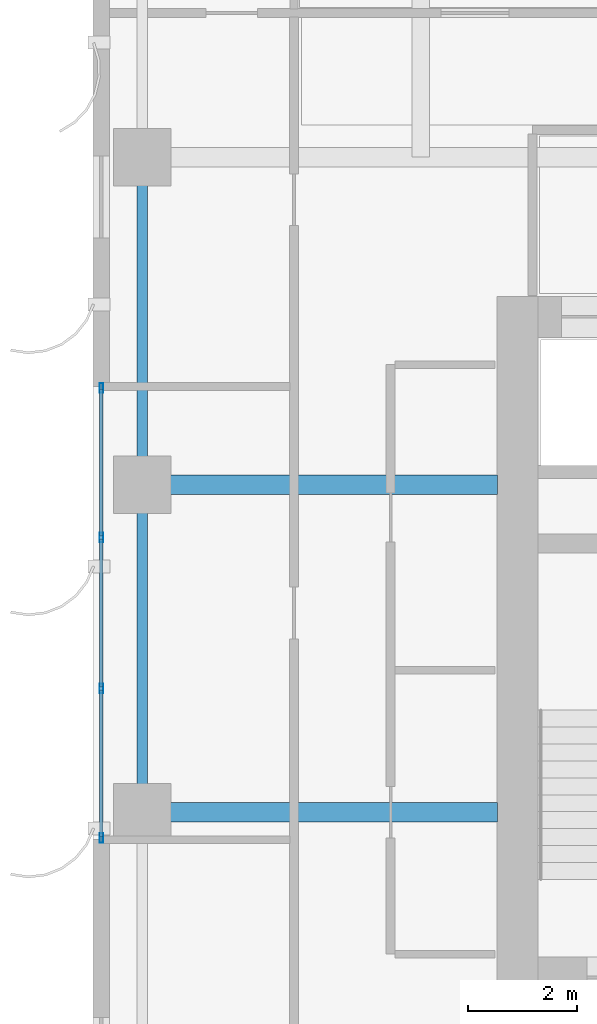
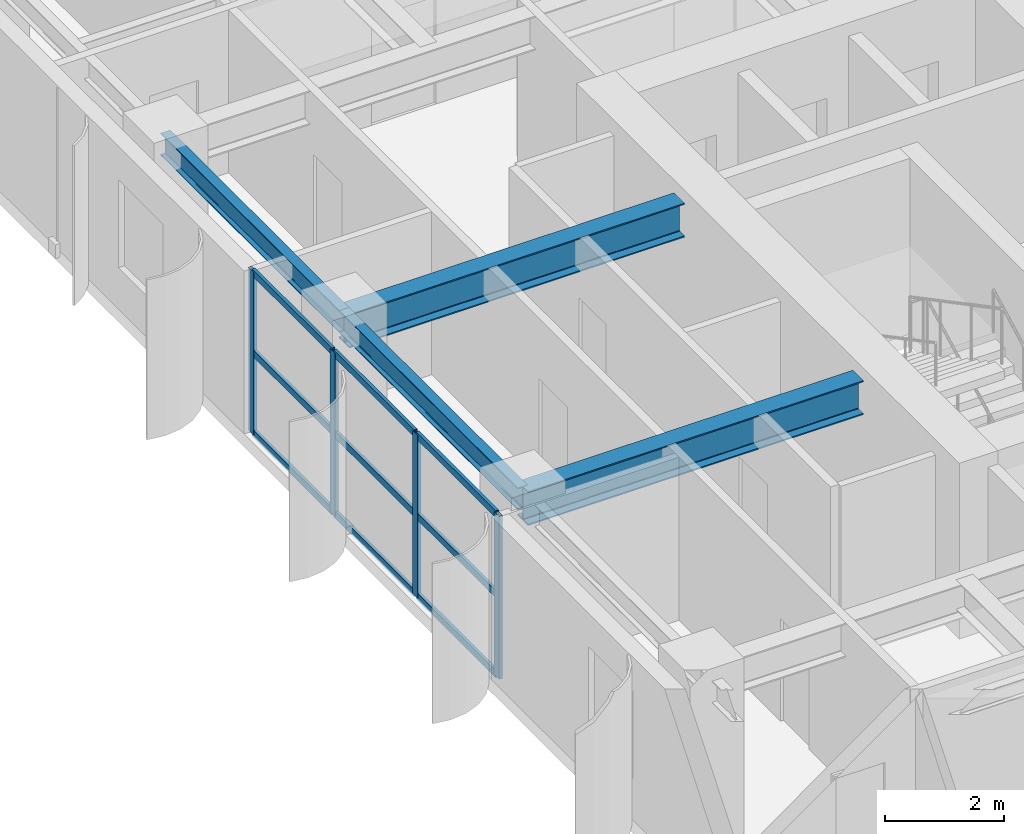
# One storey, part 4 of 22: 13 members, 4 beams, 1 element without a shape of its own.
"""IFC4 building model written with IfcOpenShell, lengths in metres."""

from ifc_helpers import new_model, si_unit, direction, frame, origin, origin_2d, place, context, subcontext, project, spatial, hollow_rectangle, i_section, extrude, source, transform, mapped, material, layer, layer_set, material_profile, profile_set, type_object, element, aggregate, save


model = new_model("IFC4")

# Units and contexts
model_context = context("Model", 3, precision=1e-05, world=origin(), true_north=direction((0.0, 1.0)))
body_context = subcontext(model_context, "Body", "Model", "MODEL_VIEW")
ifc_project = project(units=[si_unit("LENGTHUNIT", "METRE"), si_unit("AREAUNIT", "SQUARE_METRE"), si_unit("VOLUMEUNIT", "CUBIC_METRE"), si_unit("PLANEANGLEUNIT", "RADIAN"), si_unit("MASSUNIT", "GRAM", prefix="KILO")], contexts=[model_context])

# Site, building, storey
site_placement = place(None, origin())
site = spatial("IfcSite", under=ifc_project, at=site_placement, CompositionType="ELEMENT")
building_placement = place(site_placement, origin())
building = spatial("IfcBuilding", under=site, at=building_placement, Name="Khoralis Quay Care Tower", CompositionType="ELEMENT")
storey_placement = place(building_placement, frame((0.0, 0.0, 94.5)))
storey = spatial("IfcBuildingStorey", under=building, at=storey_placement, Name="L24", CompositionType="ELEMENT", Elevation=94.5)

# Beams
ifc_material_1 = material(Name="Steel S355", Category="steel")
ifc_material_profile_1 = material_profile(ifc_material_1, i_section(OverallWidth=0.18994140625, OverallDepth=0.449951171875, WebThickness=0.009521484375, FlangeThickness=0.0146484375, FilletRadius=0.02099609375, at=origin_2d()), Name="Steel S355")
ifc_profile_set_1 = profile_set([ifc_material_profile_1], Name="Steel S355")
beam_type_1 = type_object("IfcBeamType", Name="BM-IPE450", PredefinedType="SPANDREL", material=ifc_profile_set_1)
shared_shape_1 = source(origin(), body_context, "Body", "SweptSolid", [
    extrude(i_section(OverallWidth=0.18994140625, OverallDepth=0.449951171875, WebThickness=0.009521484375, FlangeThickness=0.0146484375, FilletRadius=0.02099609375, at=origin_2d()), origin(), (0.0, 0.0, 1.0), 6.0),
])
for number, where, z_axis, x_axis, name in (
    (1, (0.89990234375, 18.0, 3.114990234375), (0.0, 1.0, 0.0), (-1.0, 0.0, 0.0), "BM-TSP-L24-13"),
    (2, (0.89990234375, 24.0, 3.114990234375), (0.0, 1.0, 0.0), (-1.0, 0.0, 0.0), "BM-TSP-L24-14"),
):
    element("IfcBeam", number, at=place(storey_placement, frame(where, z_axis=z_axis, x_axis=x_axis)), inside=storey, type_object=beam_type_1, Name=name, PredefinedType="SPANDREL", context=body_context, shape_type="MappedRepresentation", body=[
        mapped(shared_shape_1, transform((0.0, 0.0, 0.0), scale=1.0)),
    ])
ifc_material_profile_2 = material_profile(ifc_material_1, i_section(OverallWidth=0.35498046875, OverallDepth=0.695068359375, WebThickness=0.015380859375, FlangeThickness=0.02490234375, FilletRadius=0.02001953125, at=origin_2d()), Name="Steel S355")
ifc_profile_set_2 = profile_set([ifc_material_profile_2], Name="Steel S355")
beam_type_2 = type_object("IfcBeamType", Name="BM-W690X217", PredefinedType="BEAM", material=ifc_profile_set_2)
shared_shape_2 = source(origin(), body_context, "Body", "SweptSolid", [
    extrude(i_section(OverallWidth=0.35498046875, OverallDepth=0.695068359375, WebThickness=0.015380859375, FlangeThickness=0.02490234375, FilletRadius=0.02001953125, at=origin_2d()), origin(), (0.0, 0.0, 1.0), 6.502197265625),
])
for number, where, z_axis, x_axis, name in (
    (3, (0.89990234375, 18.0, 2.992431640625), (1.0, 0.0, 0.0), (0.0, 1.0, 0.0), "BM-TGXW-L24-180"),
    (4, (0.89990234375, 24.0, 2.992431640625), (1.0, 0.0, 0.0), (0.0, 1.0, 0.0), "BM-TGXW-L24-240"),
):
    element("IfcBeam", number, at=place(storey_placement, frame(where, z_axis=z_axis, x_axis=x_axis)), inside=storey, type_object=beam_type_2, Name=name, PredefinedType="BEAM", context=body_context, shape_type="MappedRepresentation", body=[
        mapped(shared_shape_2, transform((0.0, 0.0, 0.0), scale=1.0)),
    ])

# Curtain wall, members
ifc_material_2 = material(Name="Pale anodised aluminium", Category="aluminium")
ifc_layer = layer(ifc_material_2, 0.169921875)
ifc_layer_set = layer_set([ifc_layer], Name="Pale anodised aluminium")
curtain_wall_type = type_object("IfcCurtainWallType", Name="CW-SYS-Z2", PredefinedType="NOTDEFINED", material=ifc_layer_set)
curtain_wall_placement = place(storey_placement, origin())
curtain_wall = element("IfcCurtainWall", 5, at=curtain_wall_placement, inside=storey, type_object=curtain_wall_type, Name="L24 Unitised Curtain Wall CW-L24-P1-E15", PredefinedType="NOTDEFINED")
ifc_material_profile_3 = material_profile(ifc_material_2, hollow_rectangle(XDim=0.06494140625, YDim=0.179931640625, WallThickness=0.00390625, at=origin_2d()), Name="Pale anodised aluminium")
ifc_profile_set_3 = profile_set([ifc_material_profile_3], Name="Pale anodised aluminium")
member_type_1 = type_object("IfcMemberType", Name="CW-MUL-180", PredefinedType="MULLION", material=ifc_profile_set_3)
shared_shape_3 = source(origin(), body_context, "Body", "SweptSolid", [
    extrude(hollow_rectangle(XDim=0.06494140625, YDim=0.179931640625, WallThickness=0.00390625, at=origin_2d()), origin(), (0.0, 0.0, 1.0), 3.340087890625),
])
member_1_placement = place(storey_placement, frame((0.14990234375, 25.77001953125, 0.0), z_axis=(0.0, 0.0, 1.0), x_axis=(1.0, 0.0, 0.0)))
member_1 = element("IfcMember", 6, at=member_1_placement, type_object=member_type_1, Name="CW2 mullion 1", PredefinedType="MULLION", context=body_context, shape_type="MappedRepresentation", body=[
    mapped(shared_shape_3, transform((0.0, 0.0, 0.0), scale=1.0)),
])
member_2_placement = place(storey_placement, frame((0.14990234375, 23.033447265625, 0.0), z_axis=(0.0, 0.0, 1.0), x_axis=(1.0, 0.0, 0.0)))
member_2 = element("IfcMember", 7, at=member_2_placement, type_object=member_type_1, Name="CW2 mullion 2", PredefinedType="MULLION", context=body_context, shape_type="MappedRepresentation", body=[
    mapped(shared_shape_3, transform((0.0, 0.0, 0.0), scale=1.0)),
])
member_3_placement = place(storey_placement, frame((0.14990234375, 20.2666015625, 0.0), z_axis=(0.0, 0.0, 1.0), x_axis=(1.0, 0.0, 0.0)))
member_3 = element("IfcMember", 8, at=member_3_placement, type_object=member_type_1, Name="CW2 mullion 3", PredefinedType="MULLION", context=body_context, shape_type="MappedRepresentation", body=[
    mapped(shared_shape_3, transform((0.0, 0.0, 0.0), scale=1.0)),
])
member_4_placement = place(storey_placement, frame((0.14990234375, 17.530029296875, 0.0), z_axis=(0.0, 0.0, 1.0), x_axis=(1.0, 0.0, 0.0)))
member_4 = element("IfcMember", 9, at=member_4_placement, type_object=member_type_1, Name="CW2 mullion 4", PredefinedType="MULLION", context=body_context, shape_type="MappedRepresentation", body=[
    mapped(shared_shape_3, transform((0.0, 0.0, 0.0), scale=1.0)),
])
ifc_material_profile_4 = material_profile(ifc_material_2, hollow_rectangle(XDim=0.06005859375, YDim=0.139892578125, WallThickness=0.00390625, at=origin_2d()), Name="Pale anodised aluminium")
ifc_profile_set_4 = profile_set([ifc_material_profile_4], Name="Pale anodised aluminium")
member_type_2 = type_object("IfcMemberType", Name="CW-TRN-140", PredefinedType="USERDEFINED", material=ifc_profile_set_4)
shared_shape_4 = source(origin(), body_context, "Body", "SweptSolid", [
    extrude(hollow_rectangle(XDim=0.06005859375, YDim=0.139892578125, WallThickness=0.00390625, at=origin_2d()), origin(), (0.0, 0.0, 1.0), 2.6767578125),
])
member_5_placement = place(storey_placement, frame((0.14990234375, 25.739990234375, 0.030029296875), z_axis=(0.0, -1.0, 0.0), x_axis=(1.0, 0.0, 0.0)))
member_5 = element("IfcMember", 10, at=member_5_placement, type_object=member_type_2, Name="CW2 transom 1.1", ObjectType="TRANSOM", PredefinedType="USERDEFINED", context=body_context, shape_type="MappedRepresentation", body=[
    mapped(shared_shape_4, transform((0.0, 0.0, 0.0), scale=1.0)),
])
member_6_placement = place(storey_placement, frame((0.14990234375, 25.739990234375, 1.669921875), z_axis=(0.0, -1.0, 0.0), x_axis=(1.0, 0.0, 0.0)))
member_6 = element("IfcMember", 11, at=member_6_placement, type_object=member_type_2, Name="CW2 transom 1.2", ObjectType="TRANSOM", PredefinedType="USERDEFINED", context=body_context, shape_type="MappedRepresentation", body=[
    mapped(shared_shape_4, transform((0.0, 0.0, 0.0), scale=1.0)),
])
member_7_placement = place(storey_placement, frame((0.14990234375, 25.739990234375, 3.31005859375), z_axis=(0.0, -1.0, 0.0), x_axis=(1.0, 0.0, 0.0)))
member_7 = element("IfcMember", 12, at=member_7_placement, type_object=member_type_2, Name="CW2 transom 1.3", ObjectType="TRANSOM", PredefinedType="USERDEFINED", context=body_context, shape_type="MappedRepresentation", body=[
    mapped(shared_shape_4, transform((0.0, 0.0, 0.0), scale=1.0)),
])
shared_shape_5 = source(origin(), body_context, "Body", "SweptSolid", [
    extrude(hollow_rectangle(XDim=0.06005859375, YDim=0.139892578125, WallThickness=0.00390625, at=origin_2d()), origin(), (0.0, 0.0, 1.0), 2.676513671875),
])
member_8_placement = place(storey_placement, frame((0.14990234375, 20.236572265625, 0.030029296875), z_axis=(0.0, -1.0, 0.0), x_axis=(1.0, 0.0, 0.0)))
member_8 = element("IfcMember", 13, at=member_8_placement, type_object=member_type_2, Name="CW2 transom 3.1", ObjectType="TRANSOM", PredefinedType="USERDEFINED", context=body_context, shape_type="MappedRepresentation", body=[
    mapped(shared_shape_5, transform((0.0, 0.0, 0.0), scale=1.0)),
])
member_9_placement = place(storey_placement, frame((0.14990234375, 20.236572265625, 1.669921875), z_axis=(0.0, -1.0, 0.0), x_axis=(1.0, 0.0, 0.0)))
member_9 = element("IfcMember", 14, at=member_9_placement, type_object=member_type_2, Name="CW2 transom 3.2", ObjectType="TRANSOM", PredefinedType="USERDEFINED", context=body_context, shape_type="MappedRepresentation", body=[
    mapped(shared_shape_5, transform((0.0, 0.0, 0.0), scale=1.0)),
])
member_10_placement = place(storey_placement, frame((0.14990234375, 20.236572265625, 3.31005859375), z_axis=(0.0, -1.0, 0.0), x_axis=(1.0, 0.0, 0.0)))
member_10 = element("IfcMember", 15, at=member_10_placement, type_object=member_type_2, Name="CW2 transom 3.3", ObjectType="TRANSOM", PredefinedType="USERDEFINED", context=body_context, shape_type="MappedRepresentation", body=[
    mapped(shared_shape_5, transform((0.0, 0.0, 0.0), scale=1.0)),
])
shared_shape_6 = source(origin(), body_context, "Body", "SweptSolid", [
    extrude(hollow_rectangle(XDim=0.06005859375, YDim=0.139892578125, WallThickness=0.00390625, at=origin_2d()), origin(), (0.0, 0.0, 1.0), 2.706787109375),
])
member_11_placement = place(storey_placement, frame((0.14990234375, 23.00341796875, 0.030029296875), z_axis=(0.0, -1.0, 0.0), x_axis=(1.0, 0.0, 0.0)))
member_11 = element("IfcMember", 16, at=member_11_placement, type_object=member_type_2, Name="CW2 transom 2.1", ObjectType="TRANSOM", PredefinedType="USERDEFINED", context=body_context, shape_type="MappedRepresentation", body=[
    mapped(shared_shape_6, transform((0.0, 0.0, 0.0), scale=1.0)),
])
member_12_placement = place(storey_placement, frame((0.14990234375, 23.00341796875, 1.669921875), z_axis=(0.0, -1.0, 0.0), x_axis=(1.0, 0.0, 0.0)))
member_12 = element("IfcMember", 17, at=member_12_placement, type_object=member_type_2, Name="CW2 transom 2.2", ObjectType="TRANSOM", PredefinedType="USERDEFINED", context=body_context, shape_type="MappedRepresentation", body=[
    mapped(shared_shape_6, transform((0.0, 0.0, 0.0), scale=1.0)),
])
member_13_placement = place(storey_placement, frame((0.14990234375, 23.00341796875, 3.31005859375), z_axis=(0.0, -1.0, 0.0), x_axis=(1.0, 0.0, 0.0)))
member_13 = element("IfcMember", 18, at=member_13_placement, type_object=member_type_2, Name="CW2 transom 2.3", ObjectType="TRANSOM", PredefinedType="USERDEFINED", context=body_context, shape_type="MappedRepresentation", body=[
    mapped(shared_shape_6, transform((0.0, 0.0, 0.0), scale=1.0)),
])
aggregate(curtain_wall, [member_1, member_2, member_3, member_4, member_5, member_6, member_7, member_11, member_12, member_13, member_8, member_9, member_10])

save(model, "model.ifc")
